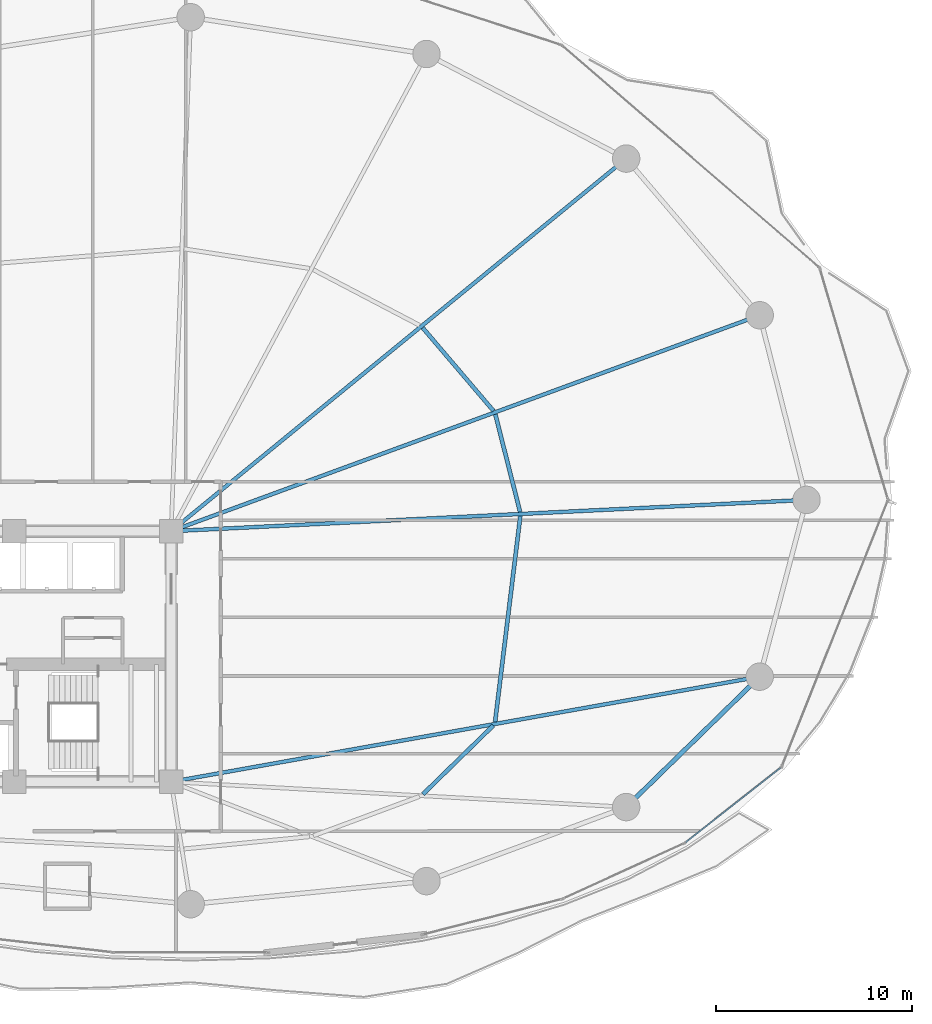
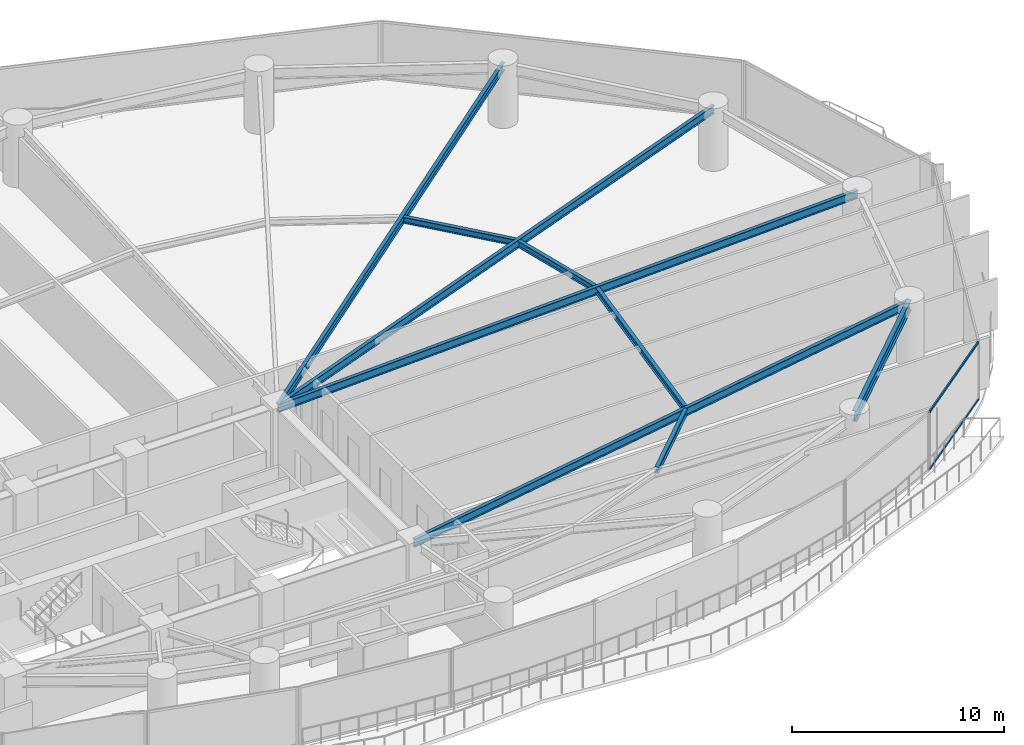
# One storey, part 14 of 33: 9 beams, 2 members, 1 element without a shape of its own.
"""IFC4 building model written with IfcOpenShell, lengths in metres."""

from ifc_helpers import new_model, si_unit, direction, frame, origin, origin_2d, place, context, subcontext, project, spatial, hollow_rectangle, i_section, extrude, material, layer, layer_set, material_profile, profile_set, type_object, element, aggregate, save


model = new_model("IFC4")

# Units and contexts
model_context = context("Model", 3, precision=1e-05, world=origin(), true_north=direction((0.0, 1.0)))
body_context = subcontext(model_context, "Body", "Model", "MODEL_VIEW")
ifc_project = project(units=[si_unit("LENGTHUNIT", "METRE"), si_unit("AREAUNIT", "SQUARE_METRE"), si_unit("VOLUMEUNIT", "CUBIC_METRE"), si_unit("PLANEANGLEUNIT", "RADIAN"), si_unit("MASSUNIT", "GRAM", prefix="KILO")], contexts=[model_context])

# Site, building, storey
site_placement = place(None, origin())
site = spatial("IfcSite", under=ifc_project, at=site_placement, CompositionType="ELEMENT")
building_placement = place(site_placement, origin())
building = spatial("IfcBuilding", under=site, at=building_placement, Name="Kazevale Care Tower and Concert Hall", CompositionType="ELEMENT")
storey_placement = place(building_placement, frame((0.0, 0.0, 45.60009765625)))
storey = spatial("IfcBuildingStorey", under=building, at=storey_placement, Name="L11", CompositionType="ELEMENT", Elevation=45.60009765625)

# Curtain wall, members
ifc_material_1 = material(Name="Aluminium 6063-T6 and Low-E Glass", Category="aluminium")
ifc_layer = layer(ifc_material_1, 0.179931640625)
ifc_layer_set = layer_set([ifc_layer], Name="Aluminium 6063-T6 and Low-E Glass")
curtain_wall_type = type_object("IfcCurtainWallType", Name="Sheltered Concave Balcony Curtain Wall CW-5", PredefinedType="NOTDEFINED", material=ifc_layer_set)
curtain_wall_placement = place(storey_placement, origin())
curtain_wall = element("IfcCurtainWall", 1, at=curtain_wall_placement, inside=storey, type_object=curtain_wall_type, Name="cw:L11:f02", PredefinedType="NOTDEFINED")
ifc_material_2 = material(Name="Aluminium 6063-T6", Category="aluminium")
ifc_material_profile_1 = material_profile(ifc_material_2, hollow_rectangle(XDim=0.074951171875, YDim=0.1201171875, WallThickness=0.00390625, at=origin_2d()), Name="ALU75x120x4")
ifc_profile_set_1 = profile_set([ifc_material_profile_1], Name="Aluminium 6063-T6")
member_type = type_object("IfcMemberType", Name="CW-5 Transom ALU75x120x4", PredefinedType="USERDEFINED", material=ifc_profile_set_1)
member_1_placement = place(storey_placement, frame((75.123046875, 24.317626953125, 0.037353515625), z_axis=(-0.78633897536, -0.617795286344, 0.0), x_axis=(0.617795286344, -0.78633897536, 0.0)))
member_1 = element("IfcMember", 2, at=member_1_placement, type_object=member_type, Name="CW-5 transom 1.1", ObjectType="TRANSOM", PredefinedType="USERDEFINED", context=body_context, shape_type="SweptSolid", body=[
    extrude(hollow_rectangle(XDim=0.074951171875, YDim=0.1201171875, WallThickness=0.00390625, at=origin_2d()), origin(), (0.0, 0.0, 1.0), 6.15771484375),
])
member_2_placement = place(storey_placement, frame((75.123046875, 24.317626953125, 3.322509765625), z_axis=(-0.78633897536, -0.617795286344, 0.0), x_axis=(0.617795286344, -0.78633897536, 0.0)))
member_2 = element("IfcMember", 3, at=member_2_placement, type_object=member_type, Name="CW-5 transom 1.2", ObjectType="TRANSOM", PredefinedType="USERDEFINED", context=body_context, shape_type="SweptSolid", body=[
    extrude(hollow_rectangle(XDim=0.074951171875, YDim=0.1201171875, WallThickness=0.00390625, at=origin_2d()), origin(), (0.0, 0.0, 1.0), 6.15771484375),
])
aggregate(curtain_wall, [member_1, member_2])

# Beams
ifc_material_3 = material(Name="Steel ASTM A572 Gr 50", Category="steel")
ifc_material_profile_2 = material_profile(ifc_material_3, i_section(OverallWidth=0.19091796875, OverallDepth=0.4599609375, WebThickness=0.010009765625, FlangeThickness=0.01611328125, at=origin_2d()), Name="W460x82")
ifc_profile_set_2 = profile_set([ifc_material_profile_2], Name="Steel ASTM A572 Gr 50")
beam_type_1 = type_object("IfcBeamType", Name="Radial Floor Beam W460x82", PredefinedType="BEAM", material=ifc_profile_set_2)
beam_1_placement = place(storey_placement, frame((44.0, 36.39990234375, 3.1298828125), z_axis=(0.998786488782, 0.049249871327, 0.0), x_axis=(-0.049249871327, 0.998786488782, 0.0)))
element("IfcBeam", 4, at=beam_1_placement, inside=storey, type_object=beam_type_1, Name="beam:L11:rad:01", PredefinedType="BEAM", context=body_context, shape_type="SweptSolid", body=[
    extrude(i_section(OverallWidth=0.19091796875, OverallDepth=0.4599609375, WebThickness=0.010009765625, FlangeThickness=0.01611328125, at=origin_2d()), origin(), (0.0, 0.0, 1.0), 32.4892578125),
])
beam_2_placement = place(storey_placement, frame((44.0, 36.39990234375, 3.1298828125), z_axis=(0.938795458019, 0.34447509054, 0.0), x_axis=(-0.34447509054, 0.938795458019, 0.0)))
element("IfcBeam", 5, at=beam_2_placement, inside=storey, type_object=beam_type_1, Name="beam:L11:rad:02", PredefinedType="BEAM", context=body_context, shape_type="SweptSolid", body=[
    extrude(i_section(OverallWidth=0.19091796875, OverallDepth=0.4599609375, WebThickness=0.010009765625, FlangeThickness=0.01611328125, at=origin_2d()), origin(), (0.0, 0.0, 1.0), 32.019775390625),
])
beam_3_placement = place(storey_placement, frame((44.0, 36.39990234375, 3.1298828125), z_axis=(0.773704467398, 0.633546681097, 0.0), x_axis=(-0.633546681097, 0.773704467398, 0.0)))
element("IfcBeam", 6, at=beam_3_placement, inside=storey, type_object=beam_type_1, Name="beam:L11:rad:03", PredefinedType="BEAM", context=body_context, shape_type="SweptSolid", body=[
    extrude(i_section(OverallWidth=0.19091796875, OverallDepth=0.4599609375, WebThickness=0.010009765625, FlangeThickness=0.01611328125, at=origin_2d()), origin(), (0.0, 0.0, 1.0), 30.037353515625),
])
beam_4_placement = place(storey_placement, frame((44.0, 23.60009765625, 3.1298828125), z_axis=(0.984416208219, 0.175854283415, 0.0), x_axis=(-0.175854283415, 0.984416208219, 0.0)))
element("IfcBeam", 7, at=beam_4_placement, inside=storey, type_object=beam_type_1, Name="beam:L11:rad:16", PredefinedType="BEAM", context=body_context, shape_type="SweptSolid", body=[
    extrude(i_section(OverallWidth=0.19091796875, OverallDepth=0.4599609375, WebThickness=0.010009765625, FlangeThickness=0.01611328125, at=origin_2d()), origin(), (0.0, 0.0, 1.0), 30.535888671875),
])
ifc_material_profile_3 = material_profile(ifc_material_3, i_section(OverallWidth=0.22900390625, OverallDepth=0.612060546875, WebThickness=0.011962890625, FlangeThickness=0.01953125, at=origin_2d()), Name="W610x125")
ifc_profile_set_3 = profile_set([ifc_material_profile_3], Name="Steel ASTM A572 Gr 50")
beam_type_2 = type_object("IfcBeamType", Name="Ring Spandrel Beam W610x125", PredefinedType="SPANDREL", material=ifc_profile_set_3)
beam_5_placement = place(storey_placement, frame((67.239990234375, 22.31005859375, 3.053955078125), z_axis=(0.715457453508, 0.698656304788, 0.0), x_axis=(-0.698656304788, 0.715457453508, 0.0)))
element("IfcBeam", 8, at=beam_5_placement, inside=storey, type_object=beam_type_2, Name="beam:L11:ring:15", PredefinedType="SPANDREL", context=body_context, shape_type="SweptSolid", body=[
    extrude(i_section(OverallWidth=0.22900390625, OverallDepth=0.612060546875, WebThickness=0.011962890625, FlangeThickness=0.01953125, at=origin_2d()), origin(), (0.0, 0.0, 1.0), 9.532470703125),
])
ifc_material_profile_4 = material_profile(ifc_material_3, i_section(OverallWidth=0.205078125, OverallDepth=0.35400390625, WebThickness=0.009521484375, FlangeThickness=0.016845703125, at=origin_2d()), Name="W360x79")
ifc_profile_set_4 = profile_set([ifc_material_profile_4], Name="Steel ASTM A572 Gr 50")
beam_type_3 = type_object("IfcBeamType", Name="Secondary Floor Joist W360x79", PredefinedType="JOIST", material=ifc_profile_set_4)
beam_6_placement = place(storey_placement, frame((61.822021484375, 37.382080078125, 3.182861328125), z_axis=(-0.24568570229, 0.969349542575, 0.0), x_axis=(-0.969349542575, -0.24568570229, 0.0)))
element("IfcBeam", 9, at=beam_6_placement, inside=storey, type_object=beam_type_3, Name="beam:L11:joist:01", PredefinedType="JOIST", context=body_context, shape_type="SweptSolid", body=[
    extrude(i_section(OverallWidth=0.205078125, OverallDepth=0.35400390625, WebThickness=0.009521484375, FlangeThickness=0.016845703125, at=origin_2d()), origin(), (0.0, 0.0, 1.0), 5.140380859375),
])
beam_7_placement = place(storey_placement, frame((60.465087890625, 42.5458984375, 3.182861328125), z_axis=(-0.648685510477, 0.761056573783, 0.0), x_axis=(-0.761056573783, -0.648685510477, 0.0)))
element("IfcBeam", 10, at=beam_7_placement, inside=storey, type_object=beam_type_3, Name="beam:L11:joist:02", PredefinedType="JOIST", context=body_context, shape_type="SweptSolid", body=[
    extrude(i_section(OverallWidth=0.205078125, OverallDepth=0.35400390625, WebThickness=0.009521484375, FlangeThickness=0.016845703125, at=origin_2d()), origin(), (0.0, 0.0, 1.0), 5.57275390625),
])
beam_8_placement = place(storey_placement, frame((56.85693359375, 22.964111328125, 3.182861328125), z_axis=(0.715521089339, 0.698591132717, 0.0), x_axis=(-0.698591132717, 0.715521089339, 0.0)))
element("IfcBeam", 11, at=beam_8_placement, inside=storey, type_object=beam_type_3, Name="beam:L11:joist:15", PredefinedType="JOIST", context=body_context, shape_type="SweptSolid", body=[
    extrude(i_section(OverallWidth=0.205078125, OverallDepth=0.35400390625, WebThickness=0.009521484375, FlangeThickness=0.016845703125, at=origin_2d()), origin(), (0.0, 0.0, 1.0), 5.03271484375),
])
beam_9_placement = place(storey_placement, frame((60.5458984375, 26.657958984375, 3.182861328125), z_axis=(0.1216468088, 0.992573450133, 0.0), x_axis=(-0.992573450133, 0.1216468088, 0.0)))
element("IfcBeam", 12, at=beam_9_placement, inside=storey, type_object=beam_type_3, Name="beam:L11:joist:16", PredefinedType="JOIST", context=body_context, shape_type="SweptSolid", body=[
    extrude(i_section(OverallWidth=0.205078125, OverallDepth=0.35400390625, WebThickness=0.009521484375, FlangeThickness=0.016845703125, at=origin_2d()), origin(), (0.0, 0.0, 1.0), 10.5966796875),
])

save(model, "model.ifc")
